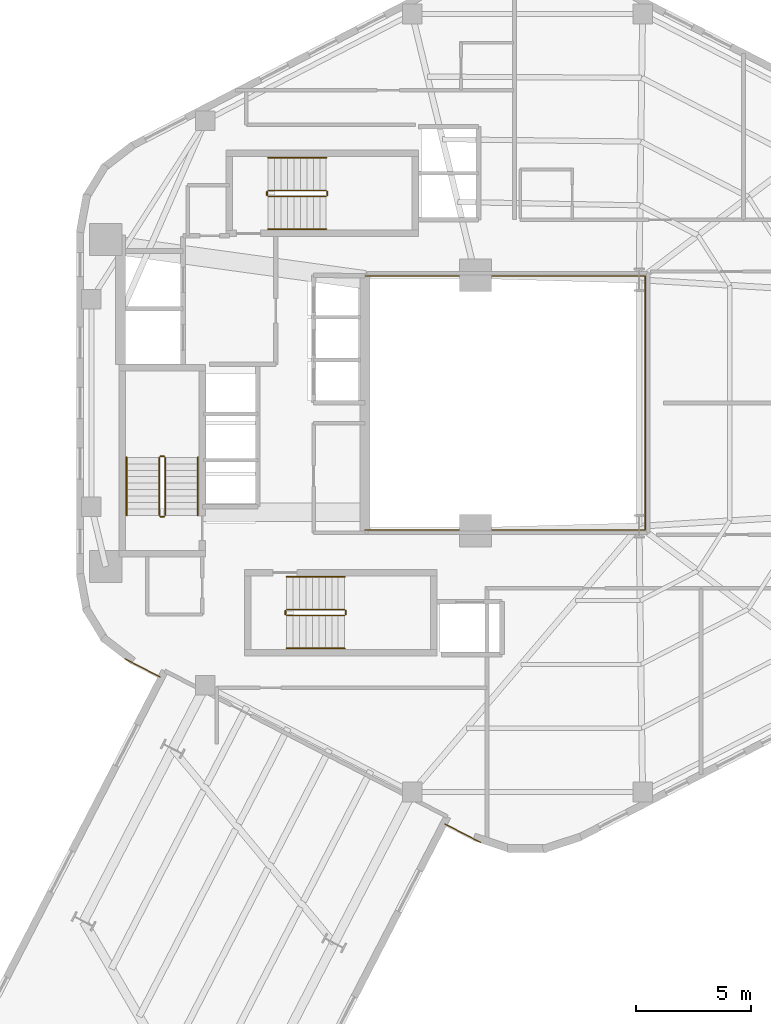
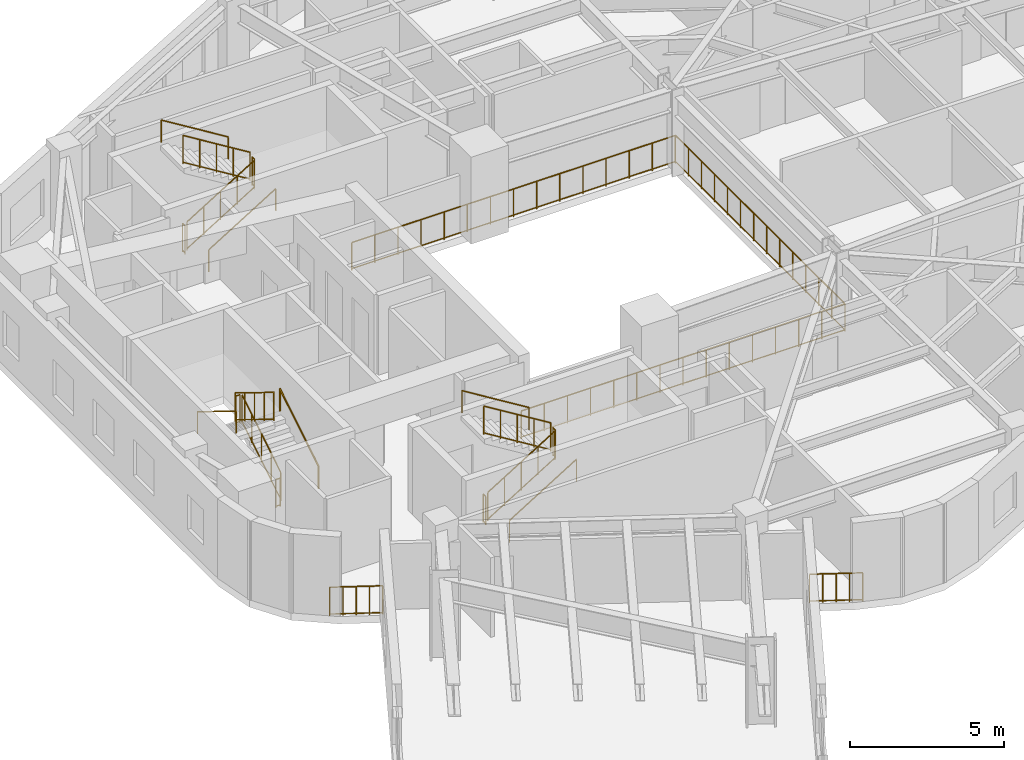
# One storey, part 9 of 9: 21 railings.
"""IFC4 building model written with IfcOpenShell, lengths in metres."""

from ifc_helpers import new_model, si_unit, direction, frame, origin, origin_2d, place, context, subcontext, project, spatial, circle, extrude, material, type_object, element, save


model = new_model("IFC4")

# Units and contexts
model_context = context("Model", 3, precision=1e-05, world=origin(), true_north=direction((0.0, 1.0)))
body_context = subcontext(model_context, "Body", "Model", "MODEL_VIEW")
ifc_project = project(units=[si_unit("LENGTHUNIT", "METRE"), si_unit("AREAUNIT", "SQUARE_METRE"), si_unit("VOLUMEUNIT", "CUBIC_METRE"), si_unit("PLANEANGLEUNIT", "RADIAN"), si_unit("MASSUNIT", "GRAM", prefix="KILO"), si_unit("THERMODYNAMICTEMPERATUREUNIT", "KELVIN"), si_unit("POWERUNIT", "WATT")], contexts=[model_context])

# Site, building, storey
site_placement = place(None, origin())
site = spatial("IfcSite", under=ifc_project, at=site_placement, CompositionType="ELEMENT")
building_placement = place(site_placement, origin())
building = spatial("IfcBuilding", under=site, at=building_placement, Name="Skarre Station Tower", CompositionType="ELEMENT")
storey_placement = place(building_placement, frame((0.0, 0.0, 174.0)))
storey = spatial("IfcBuildingStorey", under=building, at=storey_placement, Name="L47", CompositionType="ELEMENT", Elevation=174.0)

# Railings
ifc_material_1 = material(Name="Bronze Anodized Steel & Laminated Glass Balustrade", Category="steel")
railing_type_1 = type_object("IfcRailingType", Name="Atrium Void & Mezzanine Guard Balustrade 1120", PredefinedType="GUARDRAIL", material=ifc_material_1)
railing_1_placement = place(storey_placement, frame((27.550048828125, 18.47998046875, 0.0)))
element("IfcRailing", 1, at=railing_1_placement, inside=storey, type_object=railing_type_1, Name="L47 Atrium Void Guard Balustrade", PredefinedType="GUARDRAIL", context=body_context, shape_type="SweptSolid", body=[
    extrude(circle(Radius=0.02392578125, at=origin_2d()), frame((0.0, 0.0, 1.09619140625), z_axis=(1.0, 0.0, 0.0), x_axis=(0.0, 1.0, 0.0)), (0.0, 0.0, 1.0), 12.169921875),
    extrude(circle(Radius=0.02099609375, at=origin_2d()), frame((0.0, 0.0, 0.06005859375), z_axis=(1.0, 0.0, 0.0), x_axis=(0.0, 1.0, 0.0)), (0.0, 0.0, 1.0), 12.169921875),
    extrude(circle(Radius=0.02392578125, at=origin_2d()), frame((12.169921875, 0.0, 1.09619140625), z_axis=(0.0, 1.0, 0.0), x_axis=(-1.0, 0.0, 0.0)), (0.0, 0.0, 1.0), 11.0400390625),
    extrude(circle(Radius=0.02099609375, at=origin_2d()), frame((12.169921875, 0.0, 0.06005859375), z_axis=(0.0, 1.0, 0.0), x_axis=(-1.0, 0.0, 0.0)), (0.0, 0.0, 1.0), 11.0400390625),
    extrude(circle(Radius=0.02392578125, at=origin_2d()), frame((12.169921875, 11.0400390625, 1.09619140625), z_axis=(-1.0, 0.0, 0.0), x_axis=(0.0, -1.0, 0.0)), (0.0, 0.0, 1.0), 12.169921875),
    extrude(circle(Radius=0.02099609375, at=origin_2d()), frame((12.169921875, 11.0400390625, 0.06005859375), z_axis=(-1.0, 0.0, 0.0), x_axis=(0.0, -1.0, 0.0)), (0.0, 0.0, 1.0), 12.169921875),
    extrude(circle(Radius=0.02099609375, at=origin_2d()), origin(), (0.0, 0.0, 1.0), 1.072021484375),
    extrude(circle(Radius=0.02099609375, at=origin_2d()), frame((0.869384765625, 0.0, 0.0)), (0.0, 0.0, 1.0), 1.072021484375),
    extrude(circle(Radius=0.02099609375, at=origin_2d()), frame((1.738525390625, 0.0, 0.0)), (0.0, 0.0, 1.0), 1.072021484375),
    extrude(circle(Radius=0.02099609375, at=origin_2d()), frame((2.60791015625, 0.0, 0.0)), (0.0, 0.0, 1.0), 1.072021484375),
    extrude(circle(Radius=0.02099609375, at=origin_2d()), frame((3.47705078125, 0.0, 0.0)), (0.0, 0.0, 1.0), 1.072021484375),
    extrude(circle(Radius=0.02099609375, at=origin_2d()), frame((4.346435546875, 0.0, 0.0)), (0.0, 0.0, 1.0), 1.072021484375),
    extrude(circle(Radius=0.02099609375, at=origin_2d()), frame((5.215576171875, 0.0, 0.0)), (0.0, 0.0, 1.0), 1.072021484375),
    extrude(circle(Radius=0.02099609375, at=origin_2d()), frame((6.0849609375, 0.0, 0.0)), (0.0, 0.0, 1.0), 1.072021484375),
    extrude(circle(Radius=0.02099609375, at=origin_2d()), frame((6.954345703125, 0.0, 0.0)), (0.0, 0.0, 1.0), 1.072021484375),
    extrude(circle(Radius=0.02099609375, at=origin_2d()), frame((7.823486328125, 0.0, 0.0)), (0.0, 0.0, 1.0), 1.072021484375),
    extrude(circle(Radius=0.02099609375, at=origin_2d()), frame((8.69287109375, 0.0, 0.0)), (0.0, 0.0, 1.0), 1.072021484375),
    extrude(circle(Radius=0.02099609375, at=origin_2d()), frame((9.56201171875, 0.0, 0.0)), (0.0, 0.0, 1.0), 1.072021484375),
    extrude(circle(Radius=0.02099609375, at=origin_2d()), frame((10.431396484375, 0.0, 0.0)), (0.0, 0.0, 1.0), 1.072021484375),
    extrude(circle(Radius=0.02099609375, at=origin_2d()), frame((11.300537109375, 0.0, 0.0)), (0.0, 0.0, 1.0), 1.072021484375),
    extrude(circle(Radius=0.02099609375, at=origin_2d()), frame((12.169921875, 0.0, 0.0)), (0.0, 0.0, 1.0), 1.072021484375),
    extrude(circle(Radius=0.02099609375, at=origin_2d()), frame((12.169921875, 0.84912109375, 0.0)), (0.0, 0.0, 1.0), 1.072021484375),
    extrude(circle(Radius=0.02099609375, at=origin_2d()), frame((12.169921875, 1.698486328125, 0.0)), (0.0, 0.0, 1.0), 1.072021484375),
    extrude(circle(Radius=0.02099609375, at=origin_2d()), frame((12.169921875, 2.547607421875, 0.0)), (0.0, 0.0, 1.0), 1.072021484375),
    extrude(circle(Radius=0.02099609375, at=origin_2d()), frame((12.169921875, 3.39697265625, 0.0)), (0.0, 0.0, 1.0), 1.072021484375),
    extrude(circle(Radius=0.02099609375, at=origin_2d()), frame((12.169921875, 4.24609375, 0.0)), (0.0, 0.0, 1.0), 1.072021484375),
    extrude(circle(Radius=0.02099609375, at=origin_2d()), frame((12.169921875, 5.095458984375, 0.0)), (0.0, 0.0, 1.0), 1.072021484375),
    extrude(circle(Radius=0.02099609375, at=origin_2d()), frame((12.169921875, 5.944580078125, 0.0)), (0.0, 0.0, 1.0), 1.072021484375),
    extrude(circle(Radius=0.02099609375, at=origin_2d()), frame((12.169921875, 6.7939453125, 0.0)), (0.0, 0.0, 1.0), 1.072021484375),
    extrude(circle(Radius=0.02099609375, at=origin_2d()), frame((12.169921875, 7.64306640625, 0.0)), (0.0, 0.0, 1.0), 1.072021484375),
    extrude(circle(Radius=0.02099609375, at=origin_2d()), frame((12.169921875, 8.492431640625, 0.0)), (0.0, 0.0, 1.0), 1.072021484375),
    extrude(circle(Radius=0.02099609375, at=origin_2d()), frame((12.169921875, 9.341552734375, 0.0)), (0.0, 0.0, 1.0), 1.072021484375),
    extrude(circle(Radius=0.02099609375, at=origin_2d()), frame((12.169921875, 10.19091796875, 0.0)), (0.0, 0.0, 1.0), 1.072021484375),
    extrude(circle(Radius=0.02099609375, at=origin_2d()), frame((12.169921875, 11.0400390625, 0.0)), (0.0, 0.0, 1.0), 1.072021484375),
    extrude(circle(Radius=0.02099609375, at=origin_2d()), frame((11.300537109375, 11.0400390625, 0.0)), (0.0, 0.0, 1.0), 1.072021484375),
    extrude(circle(Radius=0.02099609375, at=origin_2d()), frame((10.431396484375, 11.0400390625, 0.0)), (0.0, 0.0, 1.0), 1.072021484375),
    extrude(circle(Radius=0.02099609375, at=origin_2d()), frame((9.56201171875, 11.0400390625, 0.0)), (0.0, 0.0, 1.0), 1.072021484375),
    extrude(circle(Radius=0.02099609375, at=origin_2d()), frame((8.69287109375, 11.0400390625, 0.0)), (0.0, 0.0, 1.0), 1.072021484375),
    extrude(circle(Radius=0.02099609375, at=origin_2d()), frame((7.823486328125, 11.0400390625, 0.0)), (0.0, 0.0, 1.0), 1.072021484375),
    extrude(circle(Radius=0.02099609375, at=origin_2d()), frame((6.954345703125, 11.0400390625, 0.0)), (0.0, 0.0, 1.0), 1.072021484375),
    extrude(circle(Radius=0.02099609375, at=origin_2d()), frame((6.0849609375, 11.0400390625, 0.0)), (0.0, 0.0, 1.0), 1.072021484375),
    extrude(circle(Radius=0.02099609375, at=origin_2d()), frame((5.215576171875, 11.0400390625, 0.0)), (0.0, 0.0, 1.0), 1.072021484375),
    extrude(circle(Radius=0.02099609375, at=origin_2d()), frame((4.346435546875, 11.0400390625, 0.0)), (0.0, 0.0, 1.0), 1.072021484375),
    extrude(circle(Radius=0.02099609375, at=origin_2d()), frame((3.47705078125, 11.0400390625, 0.0)), (0.0, 0.0, 1.0), 1.072021484375),
    extrude(circle(Radius=0.02099609375, at=origin_2d()), frame((2.60791015625, 11.0400390625, 0.0)), (0.0, 0.0, 1.0), 1.072021484375),
    extrude(circle(Radius=0.02099609375, at=origin_2d()), frame((1.738525390625, 11.0400390625, 0.0)), (0.0, 0.0, 1.0), 1.072021484375),
    extrude(circle(Radius=0.02099609375, at=origin_2d()), frame((0.869384765625, 11.0400390625, 0.0)), (0.0, 0.0, 1.0), 1.072021484375),
    extrude(circle(Radius=0.02099609375, at=origin_2d()), frame((0.0, 11.0400390625, 0.0)), (0.0, 0.0, 1.0), 1.072021484375),
])
ifc_material_2 = material(Name="Stainless Steel Grade 316L & Laminated Safety Glass", Category="steel")
railing_type_2 = type_object("IfcRailingType", Name="Laminated Glass & Stainless Terrace Guardrail 1150", PredefinedType="BALUSTRADE", material=ifc_material_2)
for number, where, name in (
    (2, (18.666015625, 12.10205078125, 0.0), "L47 SB-4 Shoulder Ledge Guardrail 1"),
    (3, (32.56689453125, 4.927001953125, 0.0), "L47 SB-4 Shoulder Ledge Guardrail 2"),
):
    element("IfcRailing", number, at=place(storey_placement, frame(where)), inside=storey, type_object=railing_type_2, Name=name, PredefinedType="BALUSTRADE", context=body_context, shape_type="SweptSolid", body=[
        extrude(circle(Radius=0.02392578125, at=origin_2d()), frame((0.0, 0.0, 1.1259765625), z_axis=(-0.888724295859, 0.458442063897, 0.0), x_axis=(-0.458442063897, -0.888724295859, 0.0)), (0.0, 0.0, 1.0), 1.73388671875),
        extrude(circle(Radius=0.02099609375, at=origin_2d()), frame((0.0, 0.0, 0.06005859375), z_axis=(-0.888724295859, 0.458442063897, 0.0), x_axis=(-0.458442063897, -0.888724295859, 0.0)), (0.0, 0.0, 1.0), 1.73388671875),
        extrude(circle(Radius=0.02099609375, at=origin_2d()), origin(), (0.0, 0.0, 1.0), 1.101806640625),
        extrude(circle(Radius=0.02099609375, at=origin_2d()), frame((-0.38525390625, 0.19873046875, 0.0)), (0.0, 0.0, 1.0), 1.101806640625),
        extrude(circle(Radius=0.02099609375, at=origin_2d()), frame((-0.7705078125, 0.3974609375, 0.0)), (0.0, 0.0, 1.0), 1.101806640625),
        extrude(circle(Radius=0.02099609375, at=origin_2d()), frame((-1.15576171875, 0.59619140625, 0.0)), (0.0, 0.0, 1.0), 1.101806640625),
        extrude(circle(Radius=0.02099609375, at=origin_2d()), frame((-1.541015625, 0.794921875, 0.0)), (0.0, 0.0, 1.0), 1.101806640625),
    ])
ifc_material_3 = material(Name="Powder-Coated Tubular Steel", Category="steel")
railing_type_3 = type_object("IfcRailingType", Name="Painted Steel Ramp & Stair Handrail 920", PredefinedType="HANDRAIL", material=ifc_material_3)
railing_2_placement = place(storey_placement, frame((20.300048828125, 19.1201171875, 0.172607421875)))
element("IfcRailing", 4, at=railing_2_placement, inside=storey, type_object=railing_type_3, Name="L47 ST-1 stair handrail 1", PredefinedType="HANDRAIL", context=body_context, shape_type="SweptSolid", body=[
    extrude(circle(Radius=0.02392578125, at=origin_2d()), frame((0.0, 0.0, 0.8759765625), z_axis=(0.0, 0.851377800117, 0.52455299205), x_axis=(-1.0, 0.0, 0.0)), (0.0, 0.0, 1.0), 2.959716796875),
    extrude(circle(Radius=0.02099609375, at=origin_2d()), origin(), (0.0, 0.0, 1.0), 0.851806640625),
    extrude(circle(Radius=0.02099609375, at=origin_2d()), frame((0.0, 2.519775390625, 1.552490234375)), (0.0, 0.0, 1.0), 0.851806640625),
])
railing_3_placement = place(storey_placement, frame((17.199951171875, 21.639892578125, 1.8974609375)))
element("IfcRailing", 5, at=railing_3_placement, inside=storey, type_object=railing_type_3, Name="L47 ST-1 stair handrail 2", PredefinedType="HANDRAIL", context=body_context, shape_type="SweptSolid", body=[
    extrude(circle(Radius=0.02392578125, at=origin_2d()), frame((0.0, 0.0, 0.8759765625), z_axis=(0.0, -0.851377800117, 0.52455299205), x_axis=(1.0, 0.0, 0.0)), (0.0, 0.0, 1.0), 2.959716796875),
    extrude(circle(Radius=0.02099609375, at=origin_2d()), origin(), (0.0, 0.0, 1.0), 0.851806640625),
    extrude(circle(Radius=0.02099609375, at=origin_2d()), frame((0.0, -2.519775390625, 1.552490234375)), (0.0, 0.0, 1.0), 0.851806640625),
])
railing_4_placement = place(storey_placement, frame((24.14990234375, 13.35009765625, 0.172607421875)))
element("IfcRailing", 6, at=railing_4_placement, inside=storey, type_object=railing_type_3, Name="L47 ST-2 stair handrail 1", PredefinedType="HANDRAIL", context=body_context, shape_type="SweptSolid", body=[
    extrude(circle(Radius=0.02392578125, at=origin_2d()), frame((0.0, 0.0, 0.8759765625), z_axis=(0.851400495292, 0.0, 0.524516154772), x_axis=(0.0, 1.0, 0.0)), (0.0, 0.0, 1.0), 2.9599609375),
    extrude(circle(Radius=0.02099609375, at=origin_2d()), origin(), (0.0, 0.0, 1.0), 0.851806640625),
    extrude(circle(Radius=0.02099609375, at=origin_2d()), frame((2.52001953125, 0.0, 1.552490234375)), (0.0, 0.0, 1.0), 0.851806640625),
])
railing_5_placement = place(storey_placement, frame((26.669921875, 16.449951171875, 1.8974609375)))
element("IfcRailing", 7, at=railing_5_placement, inside=storey, type_object=railing_type_3, Name="L47 ST-2 stair handrail 2", PredefinedType="HANDRAIL", context=body_context, shape_type="SweptSolid", body=[
    extrude(circle(Radius=0.02392578125, at=origin_2d()), frame((0.0, 0.0, 0.8759765625), z_axis=(-0.851400495292, 0.0, 0.524516154772), x_axis=(0.0, -1.0, 0.0)), (0.0, 0.0, 1.0), 2.9599609375),
    extrude(circle(Radius=0.02099609375, at=origin_2d()), origin(), (0.0, 0.0, 1.0), 0.851806640625),
    extrude(circle(Radius=0.02099609375, at=origin_2d()), frame((-2.52001953125, 0.0, 1.552490234375)), (0.0, 0.0, 1.0), 0.851806640625),
])
railing_6_placement = place(storey_placement, frame((23.35009765625, 31.550048828125, 0.172607421875)))
element("IfcRailing", 8, at=railing_6_placement, inside=storey, type_object=railing_type_3, Name="L47 ST-3 stair handrail 1", PredefinedType="HANDRAIL", context=body_context, shape_type="SweptSolid", body=[
    extrude(circle(Radius=0.02392578125, at=origin_2d()), frame((0.0, 0.0, 0.8759765625), z_axis=(0.851400495292, 0.0, 0.524516154772), x_axis=(0.0, 1.0, 0.0)), (0.0, 0.0, 1.0), 2.9599609375),
    extrude(circle(Radius=0.02099609375, at=origin_2d()), origin(), (0.0, 0.0, 1.0), 0.851806640625),
    extrude(circle(Radius=0.02099609375, at=origin_2d()), frame((2.52001953125, 0.0, 1.552490234375)), (0.0, 0.0, 1.0), 0.851806640625),
])
railing_7_placement = place(storey_placement, frame((25.8701171875, 34.64990234375, 1.8974609375)))
element("IfcRailing", 9, at=railing_7_placement, inside=storey, type_object=railing_type_3, Name="L47 ST-3 stair handrail 2", PredefinedType="HANDRAIL", context=body_context, shape_type="SweptSolid", body=[
    extrude(circle(Radius=0.02392578125, at=origin_2d()), frame((0.0, 0.0, 0.8759765625), z_axis=(-0.851400495292, 0.0, 0.524516154772), x_axis=(0.0, -1.0, 0.0)), (0.0, 0.0, 1.0), 2.9599609375),
    extrude(circle(Radius=0.02099609375, at=origin_2d()), origin(), (0.0, 0.0, 1.0), 0.851806640625),
    extrude(circle(Radius=0.02099609375, at=origin_2d()), frame((-2.52001953125, 0.0, 1.552490234375)), (0.0, 0.0, 1.0), 0.851806640625),
])
railing_type_4 = type_object("IfcRailingType", Name="Painted Steel Stairwell Guardrail 1100", PredefinedType="GUARDRAIL", material=ifc_material_3)
railing_8_placement = place(storey_placement, frame((18.8798828125, 19.1201171875, 0.172607421875)))
element("IfcRailing", 10, at=railing_8_placement, inside=storey, type_object=railing_type_4, Name="L47 ST-1 stair guard 1", PredefinedType="GUARDRAIL", context=body_context, shape_type="SweptSolid", body=[
    extrude(circle(Radius=0.02392578125, at=origin_2d()), frame((0.0, 0.0, 1.1259765625), z_axis=(0.0, 0.851377800117, 0.52455299205), x_axis=(-1.0, 0.0, 0.0)), (0.0, 0.0, 1.0), 2.959716796875),
    extrude(circle(Radius=0.02099609375, at=origin_2d()), frame((0.0, 0.0, 0.06005859375), z_axis=(0.0, 0.851377800117, 0.52455299205), x_axis=(-1.0, 0.0, 0.0)), (0.0, 0.0, 1.0), 2.959716796875),
    extrude(circle(Radius=0.02099609375, at=origin_2d()), origin(), (0.0, 0.0, 1.0), 1.101806640625),
    extrude(circle(Radius=0.02099609375, at=origin_2d()), frame((0.0, 0.6298828125, 0.38818359375)), (0.0, 0.0, 1.0), 1.101806640625),
    extrude(circle(Radius=0.02099609375, at=origin_2d()), frame((0.0, 1.259765625, 0.7763671875)), (0.0, 0.0, 1.0), 1.101806640625),
    extrude(circle(Radius=0.02099609375, at=origin_2d()), frame((0.0, 1.889892578125, 1.164306640625)), (0.0, 0.0, 1.0), 1.101806640625),
    extrude(circle(Radius=0.02099609375, at=origin_2d()), frame((0.0, 2.519775390625, 1.552490234375)), (0.0, 0.0, 1.0), 1.101806640625),
])
railing_9_placement = place(storey_placement, frame((18.830078125, 21.68994140625, 1.72509765625)))
element("IfcRailing", 11, at=railing_9_placement, inside=storey, type_object=railing_type_4, Name="L47 ST-1 stair guard 2", PredefinedType="GUARDRAIL", context=body_context, shape_type="SweptSolid", body=[
    extrude(circle(Radius=0.02392578125, at=origin_2d()), frame((0.0, 0.0, 1.1259765625), z_axis=(-1.0, 0.0, 0.0), x_axis=(0.0, -1.0, 0.0)), (0.0, 0.0, 1.0), 0.16015625),
    extrude(circle(Radius=0.02099609375, at=origin_2d()), frame((0.0, 0.0, 0.06005859375), z_axis=(-1.0, 0.0, 0.0), x_axis=(0.0, -1.0, 0.0)), (0.0, 0.0, 1.0), 0.16015625),
    extrude(circle(Radius=0.02099609375, at=origin_2d()), origin(), (0.0, 0.0, 1.0), 1.101806640625),
    extrude(circle(Radius=0.02099609375, at=origin_2d()), frame((-0.16015625, 0.0, 0.0)), (0.0, 0.0, 1.0), 1.101806640625),
])
railing_10_placement = place(storey_placement, frame((18.6201171875, 21.639892578125, 1.8974609375)))
element("IfcRailing", 12, at=railing_10_placement, inside=storey, type_object=railing_type_4, Name="L47 ST-1 stair guard 3", PredefinedType="GUARDRAIL", context=body_context, shape_type="SweptSolid", body=[
    extrude(circle(Radius=0.02392578125, at=origin_2d()), frame((0.0, 0.0, 1.1259765625), z_axis=(0.0, -0.851377800117, 0.52455299205), x_axis=(1.0, 0.0, 0.0)), (0.0, 0.0, 1.0), 2.959716796875),
    extrude(circle(Radius=0.02099609375, at=origin_2d()), frame((0.0, 0.0, 0.06005859375), z_axis=(0.0, -0.851377800117, 0.52455299205), x_axis=(1.0, 0.0, 0.0)), (0.0, 0.0, 1.0), 2.959716796875),
    extrude(circle(Radius=0.02099609375, at=origin_2d()), origin(), (0.0, 0.0, 1.0), 1.101806640625),
    extrude(circle(Radius=0.02099609375, at=origin_2d()), frame((0.0, -0.6298828125, 0.38818359375)), (0.0, 0.0, 1.0), 1.101806640625),
    extrude(circle(Radius=0.02099609375, at=origin_2d()), frame((0.0, -1.259765625, 0.7763671875)), (0.0, 0.0, 1.0), 1.101806640625),
    extrude(circle(Radius=0.02099609375, at=origin_2d()), frame((0.0, -1.889892578125, 1.164306640625)), (0.0, 0.0, 1.0), 1.101806640625),
    extrude(circle(Radius=0.02099609375, at=origin_2d()), frame((0.0, -2.519775390625, 1.552490234375)), (0.0, 0.0, 1.0), 1.101806640625),
])
railing_11_placement = place(storey_placement, frame((18.830078125, 19.070068359375, 0.0)))
element("IfcRailing", 13, at=railing_11_placement, inside=storey, type_object=railing_type_4, Name="L47 ST-1 stair guard 4", PredefinedType="GUARDRAIL", context=body_context, shape_type="SweptSolid", body=[
    extrude(circle(Radius=0.02392578125, at=origin_2d()), frame((0.0, 0.0, 1.1259765625), z_axis=(-1.0, 0.0, 0.0), x_axis=(0.0, -1.0, 0.0)), (0.0, 0.0, 1.0), 0.16015625),
    extrude(circle(Radius=0.02099609375, at=origin_2d()), frame((0.0, 0.0, 0.06005859375), z_axis=(-1.0, 0.0, 0.0), x_axis=(0.0, -1.0, 0.0)), (0.0, 0.0, 1.0), 0.16015625),
    extrude(circle(Radius=0.02099609375, at=origin_2d()), origin(), (0.0, 0.0, 1.0), 1.101806640625),
    extrude(circle(Radius=0.02099609375, at=origin_2d()), frame((-0.16015625, 0.0, 0.0)), (0.0, 0.0, 1.0), 1.101806640625),
])
railing_12_placement = place(storey_placement, frame((24.14990234375, 14.77001953125, 0.172607421875)))
element("IfcRailing", 14, at=railing_12_placement, inside=storey, type_object=railing_type_4, Name="L47 ST-2 stair guard 1", PredefinedType="GUARDRAIL", context=body_context, shape_type="SweptSolid", body=[
    extrude(circle(Radius=0.02392578125, at=origin_2d()), frame((0.0, 0.0, 1.1259765625), z_axis=(0.851400495292, 0.0, 0.524516154772), x_axis=(0.0, 1.0, 0.0)), (0.0, 0.0, 1.0), 2.9599609375),
    extrude(circle(Radius=0.02099609375, at=origin_2d()), frame((0.0, 0.0, 0.06005859375), z_axis=(0.851400495292, 0.0, 0.524516154772), x_axis=(0.0, 1.0, 0.0)), (0.0, 0.0, 1.0), 2.9599609375),
    extrude(circle(Radius=0.02099609375, at=origin_2d()), origin(), (0.0, 0.0, 1.0), 1.101806640625),
    extrude(circle(Radius=0.02099609375, at=origin_2d()), frame((0.6298828125, 0.0, 0.38818359375)), (0.0, 0.0, 1.0), 1.101806640625),
    extrude(circle(Radius=0.02099609375, at=origin_2d()), frame((1.260009765625, 0.0, 0.7763671875)), (0.0, 0.0, 1.0), 1.101806640625),
    extrude(circle(Radius=0.02099609375, at=origin_2d()), frame((1.89013671875, 0.0, 1.164306640625)), (0.0, 0.0, 1.0), 1.101806640625),
    extrude(circle(Radius=0.02099609375, at=origin_2d()), frame((2.52001953125, 0.0, 1.552490234375)), (0.0, 0.0, 1.0), 1.101806640625),
])
railing_13_placement = place(storey_placement, frame((26.719970703125, 14.820068359375, 1.72509765625)))
element("IfcRailing", 15, at=railing_13_placement, inside=storey, type_object=railing_type_4, Name="L47 ST-2 stair guard 2", PredefinedType="GUARDRAIL", context=body_context, shape_type="SweptSolid", body=[
    extrude(circle(Radius=0.02392578125, at=origin_2d()), frame((0.0, 0.0, 1.1259765625), z_axis=(0.0, 1.0, 0.0), x_axis=(-1.0, 0.0, 0.0)), (0.0, 0.0, 1.0), 0.159912109375),
    extrude(circle(Radius=0.02099609375, at=origin_2d()), frame((0.0, 0.0, 0.06005859375), z_axis=(0.0, 1.0, 0.0), x_axis=(-1.0, 0.0, 0.0)), (0.0, 0.0, 1.0), 0.159912109375),
    extrude(circle(Radius=0.02099609375, at=origin_2d()), origin(), (0.0, 0.0, 1.0), 1.101806640625),
    extrude(circle(Radius=0.02099609375, at=origin_2d()), frame((0.0, 0.159912109375, 0.0)), (0.0, 0.0, 1.0), 1.101806640625),
])
railing_14_placement = place(storey_placement, frame((26.669921875, 15.030029296875, 1.8974609375)))
element("IfcRailing", 16, at=railing_14_placement, inside=storey, type_object=railing_type_4, Name="L47 ST-2 stair guard 3", PredefinedType="GUARDRAIL", context=body_context, shape_type="SweptSolid", body=[
    extrude(circle(Radius=0.02392578125, at=origin_2d()), frame((0.0, 0.0, 1.1259765625), z_axis=(-0.851400495292, 0.0, 0.524516154772), x_axis=(0.0, -1.0, 0.0)), (0.0, 0.0, 1.0), 2.9599609375),
    extrude(circle(Radius=0.02099609375, at=origin_2d()), frame((0.0, 0.0, 0.06005859375), z_axis=(-0.851400495292, 0.0, 0.524516154772), x_axis=(0.0, -1.0, 0.0)), (0.0, 0.0, 1.0), 2.9599609375),
    extrude(circle(Radius=0.02099609375, at=origin_2d()), origin(), (0.0, 0.0, 1.0), 1.101806640625),
    extrude(circle(Radius=0.02099609375, at=origin_2d()), frame((-0.6298828125, 0.0, 0.38818359375)), (0.0, 0.0, 1.0), 1.101806640625),
    extrude(circle(Radius=0.02099609375, at=origin_2d()), frame((-1.260009765625, 0.0, 0.7763671875)), (0.0, 0.0, 1.0), 1.101806640625),
    extrude(circle(Radius=0.02099609375, at=origin_2d()), frame((-1.89013671875, 0.0, 1.164306640625)), (0.0, 0.0, 1.0), 1.101806640625),
    extrude(circle(Radius=0.02099609375, at=origin_2d()), frame((-2.52001953125, 0.0, 1.552490234375)), (0.0, 0.0, 1.0), 1.101806640625),
])
railing_15_placement = place(storey_placement, frame((24.10009765625, 14.820068359375, 0.0)))
element("IfcRailing", 17, at=railing_15_placement, inside=storey, type_object=railing_type_4, Name="L47 ST-2 stair guard 4", PredefinedType="GUARDRAIL", context=body_context, shape_type="SweptSolid", body=[
    extrude(circle(Radius=0.02392578125, at=origin_2d()), frame((0.0, 0.0, 1.1259765625), z_axis=(0.0, 1.0, 0.0), x_axis=(-1.0, 0.0, 0.0)), (0.0, 0.0, 1.0), 0.159912109375),
    extrude(circle(Radius=0.02099609375, at=origin_2d()), frame((0.0, 0.0, 0.06005859375), z_axis=(0.0, 1.0, 0.0), x_axis=(-1.0, 0.0, 0.0)), (0.0, 0.0, 1.0), 0.159912109375),
    extrude(circle(Radius=0.02099609375, at=origin_2d()), origin(), (0.0, 0.0, 1.0), 1.101806640625),
    extrude(circle(Radius=0.02099609375, at=origin_2d()), frame((0.0, 0.159912109375, 0.0)), (0.0, 0.0, 1.0), 1.101806640625),
])
railing_16_placement = place(storey_placement, frame((23.35009765625, 32.969970703125, 0.172607421875)))
element("IfcRailing", 18, at=railing_16_placement, inside=storey, type_object=railing_type_4, Name="L47 ST-3 stair guard 1", PredefinedType="GUARDRAIL", context=body_context, shape_type="SweptSolid", body=[
    extrude(circle(Radius=0.02392578125, at=origin_2d()), frame((0.0, 0.0, 1.1259765625), z_axis=(0.851400495292, 0.0, 0.524516154772), x_axis=(0.0, 1.0, 0.0)), (0.0, 0.0, 1.0), 2.9599609375),
    extrude(circle(Radius=0.02099609375, at=origin_2d()), frame((0.0, 0.0, 0.06005859375), z_axis=(0.851400495292, 0.0, 0.524516154772), x_axis=(0.0, 1.0, 0.0)), (0.0, 0.0, 1.0), 2.9599609375),
    extrude(circle(Radius=0.02099609375, at=origin_2d()), origin(), (0.0, 0.0, 1.0), 1.101806640625),
    extrude(circle(Radius=0.02099609375, at=origin_2d()), frame((0.6298828125, 0.0, 0.38818359375)), (0.0, 0.0, 1.0), 1.101806640625),
    extrude(circle(Radius=0.02099609375, at=origin_2d()), frame((1.260009765625, 0.0, 0.7763671875)), (0.0, 0.0, 1.0), 1.101806640625),
    extrude(circle(Radius=0.02099609375, at=origin_2d()), frame((1.89013671875, 0.0, 1.164306640625)), (0.0, 0.0, 1.0), 1.101806640625),
    extrude(circle(Radius=0.02099609375, at=origin_2d()), frame((2.52001953125, 0.0, 1.552490234375)), (0.0, 0.0, 1.0), 1.101806640625),
])
railing_17_placement = place(storey_placement, frame((25.919921875, 33.02001953125, 1.72509765625)))
element("IfcRailing", 19, at=railing_17_placement, inside=storey, type_object=railing_type_4, Name="L47 ST-3 stair guard 2", PredefinedType="GUARDRAIL", context=body_context, shape_type="SweptSolid", body=[
    extrude(circle(Radius=0.02392578125, at=origin_2d()), frame((0.0, 0.0, 1.1259765625), z_axis=(0.0, 1.0, 0.0), x_axis=(-1.0, 0.0, 0.0)), (0.0, 0.0, 1.0), 0.159912109375),
    extrude(circle(Radius=0.02099609375, at=origin_2d()), frame((0.0, 0.0, 0.06005859375), z_axis=(0.0, 1.0, 0.0), x_axis=(-1.0, 0.0, 0.0)), (0.0, 0.0, 1.0), 0.159912109375),
    extrude(circle(Radius=0.02099609375, at=origin_2d()), origin(), (0.0, 0.0, 1.0), 1.101806640625),
    extrude(circle(Radius=0.02099609375, at=origin_2d()), frame((0.0, 0.159912109375, 0.0)), (0.0, 0.0, 1.0), 1.101806640625),
])
railing_18_placement = place(storey_placement, frame((25.8701171875, 33.22998046875, 1.8974609375)))
element("IfcRailing", 20, at=railing_18_placement, inside=storey, type_object=railing_type_4, Name="L47 ST-3 stair guard 3", PredefinedType="GUARDRAIL", context=body_context, shape_type="SweptSolid", body=[
    extrude(circle(Radius=0.02392578125, at=origin_2d()), frame((0.0, 0.0, 1.1259765625), z_axis=(-0.851400495292, 0.0, 0.524516154772), x_axis=(0.0, -1.0, 0.0)), (0.0, 0.0, 1.0), 2.9599609375),
    extrude(circle(Radius=0.02099609375, at=origin_2d()), frame((0.0, 0.0, 0.06005859375), z_axis=(-0.851400495292, 0.0, 0.524516154772), x_axis=(0.0, -1.0, 0.0)), (0.0, 0.0, 1.0), 2.9599609375),
    extrude(circle(Radius=0.02099609375, at=origin_2d()), origin(), (0.0, 0.0, 1.0), 1.101806640625),
    extrude(circle(Radius=0.02099609375, at=origin_2d()), frame((-0.6298828125, 0.0, 0.38818359375)), (0.0, 0.0, 1.0), 1.101806640625),
    extrude(circle(Radius=0.02099609375, at=origin_2d()), frame((-1.260009765625, 0.0, 0.7763671875)), (0.0, 0.0, 1.0), 1.101806640625),
    extrude(circle(Radius=0.02099609375, at=origin_2d()), frame((-1.89013671875, 0.0, 1.164306640625)), (0.0, 0.0, 1.0), 1.101806640625),
    extrude(circle(Radius=0.02099609375, at=origin_2d()), frame((-2.52001953125, 0.0, 1.552490234375)), (0.0, 0.0, 1.0), 1.101806640625),
])
railing_19_placement = place(storey_placement, frame((23.300048828125, 33.02001953125, 0.0)))
element("IfcRailing", 21, at=railing_19_placement, inside=storey, type_object=railing_type_4, Name="L47 ST-3 stair guard 4", PredefinedType="GUARDRAIL", context=body_context, shape_type="SweptSolid", body=[
    extrude(circle(Radius=0.02392578125, at=origin_2d()), frame((0.0, 0.0, 1.1259765625), z_axis=(0.0, 1.0, 0.0), x_axis=(-1.0, 0.0, 0.0)), (0.0, 0.0, 1.0), 0.159912109375),
    extrude(circle(Radius=0.02099609375, at=origin_2d()), frame((0.0, 0.0, 0.06005859375), z_axis=(0.0, 1.0, 0.0), x_axis=(-1.0, 0.0, 0.0)), (0.0, 0.0, 1.0), 0.159912109375),
    extrude(circle(Radius=0.02099609375, at=origin_2d()), origin(), (0.0, 0.0, 1.0), 1.101806640625),
    extrude(circle(Radius=0.02099609375, at=origin_2d()), frame((0.0, 0.159912109375, 0.0)), (0.0, 0.0, 1.0), 1.101806640625),
])

save(model, "model.ifc")
